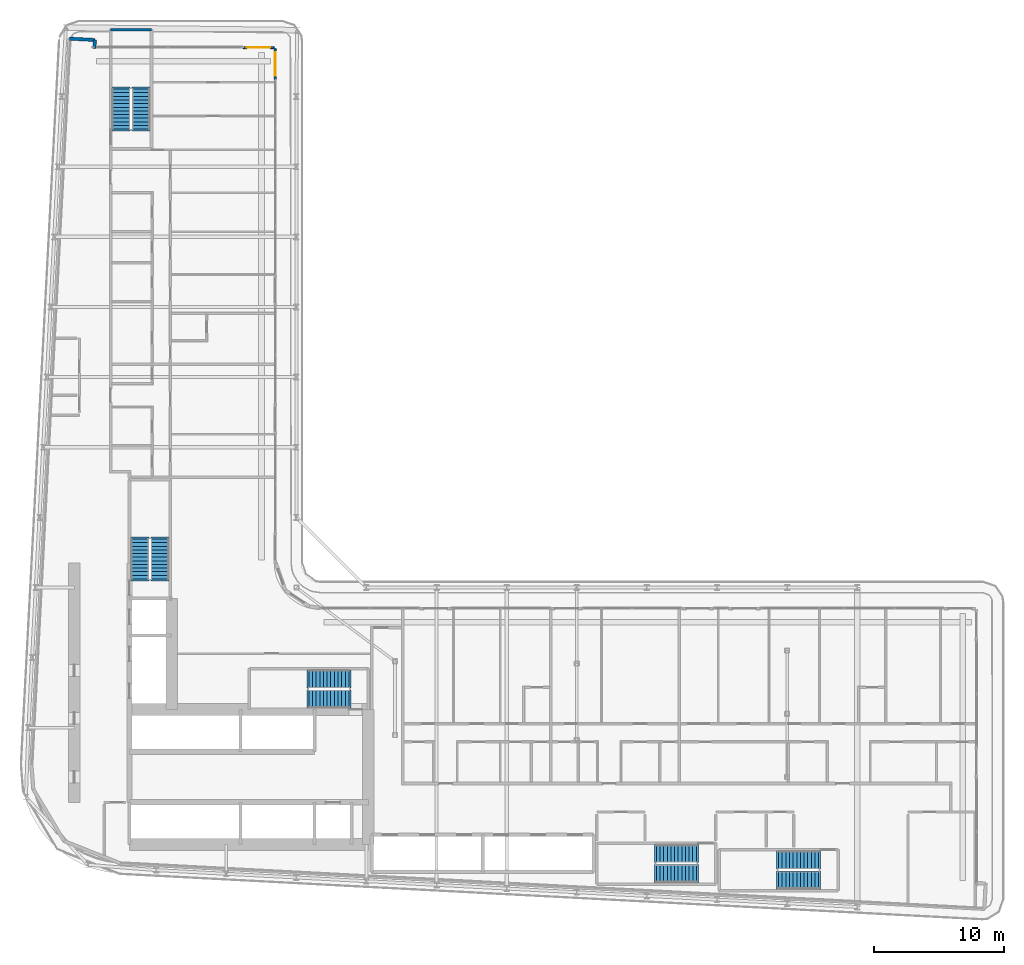
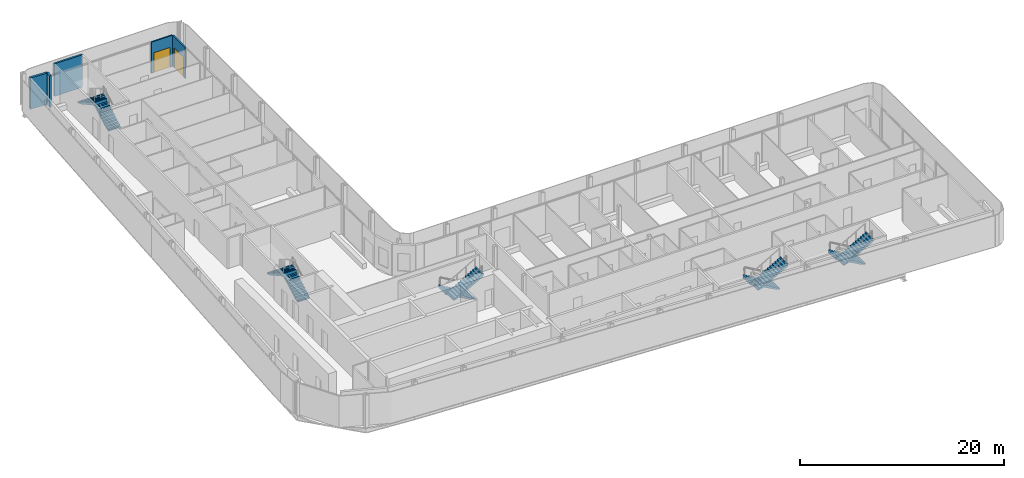
# One storey, part 20 of 27: 10 stair flights, 5 walls, 2 doors, 2 openings, 5 elements without a shape of their own.
"""IFC4 building model written with IfcOpenShell, lengths in metres."""

from ifc_helpers import new_model, si_unit, direction, frame, frame_2d, origin, place, context, subcontext, project, spatial, polyline, rectangle, outline, extrude, source, transform, mapped, material, layer, layer_set, type_object, element, fill, aggregate, save


model = new_model("IFC4")

# Units and contexts
model_context = context("Model", 3, precision=1e-05, world=origin(), true_north=direction((0.0, 1.0)))
body_context = subcontext(model_context, "Body", "Model", "MODEL_VIEW")
ifc_project = project(units=[si_unit("LENGTHUNIT", "METRE"), si_unit("AREAUNIT", "SQUARE_METRE"), si_unit("VOLUMEUNIT", "CUBIC_METRE"), si_unit("PLANEANGLEUNIT", "RADIAN"), si_unit("MASSUNIT", "GRAM", prefix="KILO")], contexts=[model_context])

# Site, building, storey
site_placement = place(None, origin())
site = spatial("IfcSite", under=ifc_project, at=site_placement, CompositionType="ELEMENT")
building_placement = place(site_placement, origin())
building = spatial("IfcBuilding", under=site, at=building_placement, Name="Kheshtan School and Residences Tower", CompositionType="ELEMENT")
storey_placement = place(building_placement, frame((0.0, 0.0, 98.0)))
storey = spatial("IfcBuildingStorey", under=building, at=storey_placement, Name="L22", CompositionType="ELEMENT", Elevation=98.0)

# Walls
ifc_material_1 = material(Name="Concrete C40/50 with ceramic cladding and mineral wool insulation", Category="concrete")
ifc_layer_1 = layer(ifc_material_1, 0.25)
ifc_layer_set_1 = layer_set([ifc_layer_1], Name="External wall 250 ceramic clad")
wall_type_1 = type_object("IfcWallType", Name="External wall 250 ceramic clad", PredefinedType="SOLIDWALL", material=ifc_layer_set_1)
wall_1_placement = place(storey_placement, frame((30.136962890625, 87.864013671875, 0.0), z_axis=(0.0, 0.0, 1.0), x_axis=(0.998577785791, -0.053314216913, 0.0)))
element("IfcWall", 1, at=wall_1_placement, inside=storey, type_object=wall_type_1, Name="External wall L22 1", PredefinedType="SOLIDWALL", context=body_context, shape_type="SweptSolid", body=[
    extrude(rectangle(XDim=1.95068359375, YDim=0.25, at=frame_2d((0.975341796875, 0.0))), origin(), (0.0, 0.0, 1.0), 3.75),
])
wall_2_placement = place(storey_placement, frame((32.0849609375, 87.760009765625, 0.0), z_axis=(0.0, 0.0, 1.0), x_axis=(-0.053729014033, -0.998555553312, 0.0)))
element("IfcWall", 2, at=wall_2_placement, inside=storey, type_object=wall_type_1, Name="External wall L22 2", PredefinedType="SOLIDWALL", context=body_context, shape_type="SweptSolid", body=[
    extrude(rectangle(XDim=0.66796875, YDim=0.25, at=frame_2d((0.333984375, 0.0))), origin(), (0.0, 0.0, 1.0), 3.75),
])

# Wall, opening, door
ifc_material_2 = material(Name="Aluminium frame wall with insulated infill", Category="aluminium")
ifc_layer_2 = layer(ifc_material_2, 0.14990234375)
ifc_layer_set_2 = layer_set([ifc_layer_2], Name="Glazing frame wall 150")
wall_type_2 = type_object("IfcWallType", Name="Glazing frame wall 150", PredefinedType="SOLIDWALL", material=ifc_layer_set_2)
wall_3_placement = place(storey_placement, frame((43.5, 87.175048828125, 0.0), z_axis=(0.0, 0.0, 1.0), x_axis=(1.0, 0.0, 0.0)))
wall_3 = element("IfcWall", 3, at=wall_3_placement, inside=storey, type_object=wall_type_2, Name="Balcony door wall L22 3.1", PredefinedType="SOLIDWALL", context=body_context, shape_type="SweptSolid", body=[
    extrude(rectangle(XDim=2.39990234375, YDim=0.14990234375, at=frame_2d((1.199951171875, 0.0))), origin(), (0.0, 0.0, 1.0), 3.75),
])
opening_1_placement = place(wall_3_placement, frame((0.300048828125, 0.0, 0.0)))
opening_1 = element("IfcOpeningElement", 4, at=opening_1_placement, cuts=wall_3, Name="Opening BD", PredefinedType="OPENING", context=body_context, shape_type="SweptSolid", body=[
    extrude(rectangle(XDim=1.800048828125, YDim=2.39990234375, at=frame_2d((0.89990234375, 1.199951171875))), frame((0.0, 0.0849609375, 0.0), z_axis=(0.0, -1.0, 0.0), x_axis=(1.0, 0.0, 0.0)), (0.0, 0.0, 1.0), 0.169921875),
])
ifc_material_3 = material(Name="Clear low-e glass in thermally broken aluminium frame", Category="aluminium")
door_type = type_object("IfcDoorType", Name="Balcony sliding door", OperationType="SLIDING_TO_LEFT", PredefinedType="DOOR", material=ifc_material_3)
shared_shape = source(origin(), body_context, "Body", "SweptSolid", [
    extrude(rectangle(XDim=1.800048828125, YDim=2.39990234375, at=frame_2d((0.89990234375, 1.199951171875))), frame((0.0, 0.02490234375, 0.0), z_axis=(0.0, -1.0, 0.0), x_axis=(1.0, 0.0, 0.0)), (0.0, 0.0, 1.0), 0.050048828125),
])
door_1_placement = place(opening_1_placement, origin())
door_1 = element("IfcDoor", 5, at=door_1_placement, inside=storey, type_object=door_type, Name="Balcony door L22 3.1", OperationType="SLIDING_TO_LEFT", OverallHeight=2.39990234375, OverallWidth=1.800048828125, PredefinedType="DOOR", context=body_context, shape_type="MappedRepresentation", body=[
    mapped(shared_shape, transform((0.0, 0.0, 0.0), x_axis=(1.0, 0.0, 0.0), y_axis=(0.0, 1.0, 0.0), z_axis=(0.0, 0.0, 1.0), scale=1.0)),
])
fill(opening_1, door_1)

wall_4_placement = place(storey_placement, frame((45.97509765625, 87.10009765625, 0.0), z_axis=(0.0, 0.0, 1.0), x_axis=(0.0, -1.0, 0.0)))
wall_4 = element("IfcWall", 6, at=wall_4_placement, inside=storey, type_object=wall_type_2, Name="Balcony door wall L22 4.1", PredefinedType="SOLIDWALL", context=body_context, shape_type="SweptSolid", body=[
    extrude(rectangle(XDim=2.400146484375, YDim=0.14990234375, at=frame_2d((1.2001953125, 0.0))), origin(), (0.0, 0.0, 1.0), 3.75),
])
opening_2_placement = place(wall_4_placement, frame((0.300048828125, 0.0, 0.0)))
opening_2 = element("IfcOpeningElement", 7, at=opening_2_placement, cuts=wall_4, Name="Opening BD", PredefinedType="OPENING", context=body_context, shape_type="SweptSolid", body=[
    extrude(rectangle(XDim=1.800048828125, YDim=2.39990234375, at=frame_2d((0.89990234375, 1.199951171875))), frame((0.0, 0.0849609375, 0.0), z_axis=(0.0, -1.0, 0.0), x_axis=(1.0, 0.0, 0.0)), (0.0, 0.0, 1.0), 0.169921875),
])
door_2_placement = place(opening_2_placement, origin())
door_2 = element("IfcDoor", 8, at=door_2_placement, inside=storey, type_object=door_type, Name="Balcony door L22 4.1", OperationType="SLIDING_TO_LEFT", OverallHeight=2.39990234375, OverallWidth=1.800048828125, PredefinedType="DOOR", context=body_context, shape_type="MappedRepresentation", body=[
    mapped(shared_shape, transform((0.0, 0.0, 0.0), x_axis=(1.0, 0.0, 0.0), y_axis=(0.0, 1.0, 0.0), z_axis=(0.0, 0.0, 1.0), scale=1.0)),
])
fill(opening_2, door_2)

# Wall
ifc_material_4 = material(Name="Concrete C40/50", Category="concrete")
ifc_layer_3 = layer(ifc_material_4, 0.199951171875)
ifc_layer_set_3 = layer_set([ifc_layer_3], Name="Stair enclosure wall 200 Concrete C40/50")
wall_type_3 = type_object("IfcWallType", Name="Stair enclosure wall 200 Concrete C40/50", PredefinedType="SHEAR", material=ifc_layer_set_3)
wall_5_placement = place(storey_placement, frame((33.300048828125, 88.56005859375, 0.0), z_axis=(0.0, 0.0, 1.0), x_axis=(1.0, 0.0, 0.0)))
element("IfcWall", 9, at=wall_5_placement, inside=storey, type_object=wall_type_3, Name="Stair enclosure wall ST3", PredefinedType="SHEAR", context=body_context, shape_type="SweptSolid", body=[
    extrude(rectangle(XDim=3.14990234375, YDim=0.199951171875, at=frame_2d((1.574951171875, 0.0))), origin(), (0.0, 0.0, 1.0), 3.89990234375),
])

# Stair, stair flights
stair_type = type_object("IfcStairType", Name="Exit stair, half-turn", PredefinedType="HALF_TURN_STAIR", material=ifc_material_4)
stair_1_placement = place(storey_placement, origin())
stair_1 = element("IfcStair", 10, at=stair_1_placement, inside=storey, type_object=stair_type, Name="L22 Protected Exit Stair ST1", PredefinedType="HALF_TURN_STAIR")
ifc_layer_4 = layer(ifc_material_4, 0.14990234375)
ifc_layer_set_4 = layer_set([ifc_layer_4], Name="Stair flight 1400 Concrete C40/50")
stair_flight_type = type_object("IfcStairFlightType", Name="Stair flight 1400 Concrete C40/50", PredefinedType="STRAIGHT", material=ifc_layer_set_4)
stair_flight_1_placement = place(storey_placement, frame((51.64990234375, 38.550048828125, 0.0), z_axis=(0.0, 0.0, 1.0), x_axis=(-1.0, 0.0, 0.0)))
stair_flight_1 = element("IfcStairFlight", 11, at=stair_flight_1_placement, type_object=stair_flight_type, Name="ST1 flight 1", NumberOfRisers=12, NumberOfTreads=11, PredefinedType="STRAIGHT", RiserHeight=0.1625, TreadLength=0.28, context=body_context, shape_type="SweptSolid", body=[
    extrude(outline(polyline([(-0.14990234375, -0.10009765625), (-0.14990234375, 0.0), (0.0, 0.0), (0.0, 0.16259765625), (0.280029296875, 0.16259765625), (0.280029296875, 0.324951171875), (0.56005859375, 0.324951171875), (0.56005859375, 0.487548828125), (0.840087890625, 0.487548828125), (0.840087890625, 0.64990234375), (1.1201171875, 0.64990234375), (1.1201171875, 0.8125), (1.39990234375, 0.8125), (1.39990234375, 0.97509765625), (1.679931640625, 0.97509765625), (1.679931640625, 1.137451171875), (1.9599609375, 1.137451171875), (1.9599609375, 1.300048828125), (2.239990234375, 1.300048828125), (2.239990234375, 1.46240234375), (2.52001953125, 1.46240234375), (2.52001953125, 1.625), (2.800048828125, 1.625), (2.800048828125, 1.78759765625), (3.080078125, 1.78759765625), (3.080078125, 1.949951171875), (3.080078125, 1.969970703125), (3.22998046875, 1.969970703125), (3.22998046875, 1.6142578125), (0.298583984375, 0.0), (-0.14990234375, -0.10009765625)])), frame((0.0, 0.699951171875, 0.0), z_axis=(0.0, -1.0, 0.0), x_axis=(1.0, 0.0, 0.0)), (0.0, 0.0, 1.0), 1.39990234375),
])
stair_flight_2_placement = place(storey_placement, frame((48.570068359375, 37.0, 1.949951171875), z_axis=(0.0, 0.0, 1.0), x_axis=(1.0, 0.0, 0.0)))
stair_flight_2 = element("IfcStairFlight", 12, at=stair_flight_2_placement, type_object=stair_flight_type, Name="ST1 flight 2", NumberOfRisers=12, NumberOfTreads=11, PredefinedType="STRAIGHT", RiserHeight=0.1625, TreadLength=0.28, context=body_context, shape_type="SweptSolid", body=[
    extrude(outline(polyline([(-0.14990234375, -0.10009765625), (-0.14990234375, 0.0), (0.0, 0.0), (0.0, 0.16259765625), (0.280029296875, 0.16259765625), (0.280029296875, 0.324951171875), (0.56005859375, 0.324951171875), (0.56005859375, 0.487548828125), (0.840087890625, 0.487548828125), (0.840087890625, 0.64990234375), (1.1201171875, 0.64990234375), (1.1201171875, 0.8125), (1.39990234375, 0.8125), (1.39990234375, 0.97509765625), (1.679931640625, 0.97509765625), (1.679931640625, 1.137451171875), (1.9599609375, 1.137451171875), (1.9599609375, 1.300048828125), (2.239990234375, 1.300048828125), (2.239990234375, 1.46240234375), (2.52001953125, 1.46240234375), (2.52001953125, 1.625), (2.800048828125, 1.625), (2.800048828125, 1.78759765625), (3.080078125, 1.78759765625), (3.080078125, 1.949951171875), (3.080078125, 1.969970703125), (3.22998046875, 1.969970703125), (3.22998046875, 1.6142578125), (0.298583984375, 0.0), (-0.14990234375, -0.10009765625)])), frame((0.0, 0.699951171875, 0.0), z_axis=(0.0, -1.0, 0.0), x_axis=(1.0, 0.0, 0.0)), (0.0, 0.0, 1.0), 1.39990234375),
])
aggregate(stair_1, [stair_flight_1, stair_flight_2])

stair_2_placement = place(storey_placement, origin())
stair_2 = element("IfcStair", 13, at=stair_2_placement, inside=storey, type_object=stair_type, Name="L22 Protected Exit Stair ST2", PredefinedType="HALF_TURN_STAIR")
stair_flight_3_placement = place(storey_placement, frame((37.10009765625, 46.25, 0.0), z_axis=(0.0, 0.0, 1.0), x_axis=(0.0, 1.0, 0.0)))
stair_flight_3 = element("IfcStairFlight", 14, at=stair_flight_3_placement, type_object=stair_flight_type, Name="ST2 flight 1", NumberOfRisers=12, NumberOfTreads=11, PredefinedType="STRAIGHT", RiserHeight=0.1625, TreadLength=0.28, context=body_context, shape_type="SweptSolid", body=[
    extrude(outline(polyline([(-0.14990234375, -0.10009765625), (-0.14990234375, 0.0), (0.0, 0.0), (0.0, 0.16259765625), (0.280029296875, 0.16259765625), (0.280029296875, 0.324951171875), (0.56005859375, 0.324951171875), (0.56005859375, 0.487548828125), (0.840087890625, 0.487548828125), (0.840087890625, 0.64990234375), (1.1201171875, 0.64990234375), (1.1201171875, 0.8125), (1.39990234375, 0.8125), (1.39990234375, 0.97509765625), (1.679931640625, 0.97509765625), (1.679931640625, 1.137451171875), (1.9599609375, 1.137451171875), (1.9599609375, 1.300048828125), (2.239990234375, 1.300048828125), (2.239990234375, 1.46240234375), (2.52001953125, 1.46240234375), (2.52001953125, 1.625), (2.800048828125, 1.625), (2.800048828125, 1.78759765625), (3.080078125, 1.78759765625), (3.080078125, 1.949951171875), (3.080078125, 1.969970703125), (3.22998046875, 1.969970703125), (3.22998046875, 1.6142578125), (0.298583984375, 0.0), (-0.14990234375, -0.10009765625)])), frame((0.0, 0.699951171875, 0.0), z_axis=(0.0, -1.0, 0.0), x_axis=(1.0, 0.0, 0.0)), (0.0, 0.0, 1.0), 1.39990234375),
])
stair_flight_4_placement = place(storey_placement, frame((35.550048828125, 49.330078125, 1.949951171875), z_axis=(0.0, 0.0, 1.0), x_axis=(0.0, -1.0, 0.0)))
stair_flight_4 = element("IfcStairFlight", 15, at=stair_flight_4_placement, type_object=stair_flight_type, Name="ST2 flight 2", NumberOfRisers=12, NumberOfTreads=11, PredefinedType="STRAIGHT", RiserHeight=0.1625, TreadLength=0.28, context=body_context, shape_type="SweptSolid", body=[
    extrude(outline(polyline([(-0.14990234375, -0.10009765625), (-0.14990234375, 0.0), (0.0, 0.0), (0.0, 0.16259765625), (0.280029296875, 0.16259765625), (0.280029296875, 0.324951171875), (0.56005859375, 0.324951171875), (0.56005859375, 0.487548828125), (0.840087890625, 0.487548828125), (0.840087890625, 0.64990234375), (1.1201171875, 0.64990234375), (1.1201171875, 0.8125), (1.39990234375, 0.8125), (1.39990234375, 0.97509765625), (1.679931640625, 0.97509765625), (1.679931640625, 1.137451171875), (1.9599609375, 1.137451171875), (1.9599609375, 1.300048828125), (2.239990234375, 1.300048828125), (2.239990234375, 1.46240234375), (2.52001953125, 1.46240234375), (2.52001953125, 1.625), (2.800048828125, 1.625), (2.800048828125, 1.78759765625), (3.080078125, 1.78759765625), (3.080078125, 1.949951171875), (3.080078125, 1.969970703125), (3.22998046875, 1.969970703125), (3.22998046875, 1.6142578125), (0.298583984375, 0.0), (-0.14990234375, -0.10009765625)])), frame((0.0, 0.699951171875, 0.0), z_axis=(0.0, -1.0, 0.0), x_axis=(1.0, 0.0, 0.0)), (0.0, 0.0, 1.0), 1.39990234375),
])
aggregate(stair_2, [stair_flight_3, stair_flight_4])

stair_3_placement = place(storey_placement, origin())
stair_3 = element("IfcStair", 16, at=stair_3_placement, inside=storey, type_object=stair_type, Name="L22 Protected Exit Stair ST3", PredefinedType="HALF_TURN_STAIR")
stair_flight_5_placement = place(storey_placement, frame((35.64990234375, 80.89990234375, 0.0), z_axis=(0.0, 0.0, 1.0), x_axis=(0.0, 1.0, 0.0)))
stair_flight_5 = element("IfcStairFlight", 17, at=stair_flight_5_placement, type_object=stair_flight_type, Name="ST3 flight 1", NumberOfRisers=12, NumberOfTreads=11, PredefinedType="STRAIGHT", RiserHeight=0.1625, TreadLength=0.28, context=body_context, shape_type="SweptSolid", body=[
    extrude(outline(polyline([(-0.14990234375, -0.10009765625), (-0.14990234375, 0.0), (0.0, 0.0), (0.0, 0.16259765625), (0.280029296875, 0.16259765625), (0.280029296875, 0.324951171875), (0.56005859375, 0.324951171875), (0.56005859375, 0.487548828125), (0.840087890625, 0.487548828125), (0.840087890625, 0.64990234375), (1.1201171875, 0.64990234375), (1.1201171875, 0.8125), (1.39990234375, 0.8125), (1.39990234375, 0.97509765625), (1.679931640625, 0.97509765625), (1.679931640625, 1.137451171875), (1.9599609375, 1.137451171875), (1.9599609375, 1.300048828125), (2.239990234375, 1.300048828125), (2.239990234375, 1.46240234375), (2.52001953125, 1.46240234375), (2.52001953125, 1.625), (2.800048828125, 1.625), (2.800048828125, 1.78759765625), (3.080078125, 1.78759765625), (3.080078125, 1.949951171875), (3.080078125, 1.969970703125), (3.22998046875, 1.969970703125), (3.22998046875, 1.6142578125), (0.298583984375, 0.0), (-0.14990234375, -0.10009765625)])), frame((0.0, 0.699951171875, 0.0), z_axis=(0.0, -1.0, 0.0), x_axis=(1.0, 0.0, 0.0)), (0.0, 0.0, 1.0), 1.39990234375),
])
stair_flight_6_placement = place(storey_placement, frame((34.10009765625, 83.97998046875, 1.949951171875), z_axis=(0.0, 0.0, 1.0), x_axis=(0.0, -1.0, 0.0)))
stair_flight_6 = element("IfcStairFlight", 18, at=stair_flight_6_placement, type_object=stair_flight_type, Name="ST3 flight 2", NumberOfRisers=12, NumberOfTreads=11, PredefinedType="STRAIGHT", RiserHeight=0.1625, TreadLength=0.28, context=body_context, shape_type="SweptSolid", body=[
    extrude(outline(polyline([(-0.14990234375, -0.10009765625), (-0.14990234375, 0.0), (0.0, 0.0), (0.0, 0.16259765625), (0.280029296875, 0.16259765625), (0.280029296875, 0.324951171875), (0.56005859375, 0.324951171875), (0.56005859375, 0.487548828125), (0.840087890625, 0.487548828125), (0.840087890625, 0.64990234375), (1.1201171875, 0.64990234375), (1.1201171875, 0.8125), (1.39990234375, 0.8125), (1.39990234375, 0.97509765625), (1.679931640625, 0.97509765625), (1.679931640625, 1.137451171875), (1.9599609375, 1.137451171875), (1.9599609375, 1.300048828125), (2.239990234375, 1.300048828125), (2.239990234375, 1.46240234375), (2.52001953125, 1.46240234375), (2.52001953125, 1.625), (2.800048828125, 1.625), (2.800048828125, 1.78759765625), (3.080078125, 1.78759765625), (3.080078125, 1.949951171875), (3.080078125, 1.969970703125), (3.22998046875, 1.969970703125), (3.22998046875, 1.6142578125), (0.298583984375, 0.0), (-0.14990234375, -0.10009765625)])), frame((0.0, 0.699951171875, 0.0), z_axis=(0.0, -1.0, 0.0), x_axis=(1.0, 0.0, 0.0)), (0.0, 0.0, 1.0), 1.39990234375),
])
aggregate(stair_3, [stair_flight_5, stair_flight_6])

stair_4_placement = place(storey_placement, origin())
stair_4 = element("IfcStair", 19, at=stair_4_placement, inside=storey, type_object=stair_type, Name="L22 Protected Exit Stair ST4", PredefinedType="HALF_TURN_STAIR")
stair_flight_7_placement = place(storey_placement, frame((87.820068359375, 24.60009765625, 0.0), z_axis=(0.0, 0.0, 1.0), x_axis=(-1.0, 0.0, 0.0)))
stair_flight_7 = element("IfcStairFlight", 20, at=stair_flight_7_placement, type_object=stair_flight_type, Name="ST4 flight 1", NumberOfRisers=12, NumberOfTreads=11, PredefinedType="STRAIGHT", RiserHeight=0.1625, TreadLength=0.28, context=body_context, shape_type="SweptSolid", body=[
    extrude(outline(polyline([(-0.14990234375, -0.10009765625), (-0.14990234375, 0.0), (0.0, 0.0), (0.0, 0.16259765625), (0.280029296875, 0.16259765625), (0.280029296875, 0.324951171875), (0.56005859375, 0.324951171875), (0.56005859375, 0.487548828125), (0.840087890625, 0.487548828125), (0.840087890625, 0.64990234375), (1.1201171875, 0.64990234375), (1.1201171875, 0.8125), (1.39990234375, 0.8125), (1.39990234375, 0.97509765625), (1.679931640625, 0.97509765625), (1.679931640625, 1.137451171875), (1.9599609375, 1.137451171875), (1.9599609375, 1.300048828125), (2.239990234375, 1.300048828125), (2.239990234375, 1.46240234375), (2.52001953125, 1.46240234375), (2.52001953125, 1.625), (2.800048828125, 1.625), (2.800048828125, 1.78759765625), (3.080078125, 1.78759765625), (3.080078125, 1.949951171875), (3.080078125, 1.969970703125), (3.22998046875, 1.969970703125), (3.22998046875, 1.6142578125), (0.298583984375, 0.0), (-0.14990234375, -0.10009765625)])), frame((0.0, 0.699951171875, 0.0), z_axis=(0.0, -1.0, 0.0), x_axis=(1.0, 0.0, 0.0)), (0.0, 0.0, 1.0), 1.39990234375),
])
stair_flight_8_placement = place(storey_placement, frame((84.739990234375, 23.050048828125, 1.949951171875), z_axis=(0.0, 0.0, 1.0), x_axis=(1.0, 0.0, 0.0)))
stair_flight_8 = element("IfcStairFlight", 21, at=stair_flight_8_placement, type_object=stair_flight_type, Name="ST4 flight 2", NumberOfRisers=12, NumberOfTreads=11, PredefinedType="STRAIGHT", RiserHeight=0.1625, TreadLength=0.28, context=body_context, shape_type="SweptSolid", body=[
    extrude(outline(polyline([(-0.14990234375, -0.10009765625), (-0.14990234375, 0.0), (0.0, 0.0), (0.0, 0.16259765625), (0.280029296875, 0.16259765625), (0.280029296875, 0.324951171875), (0.56005859375, 0.324951171875), (0.56005859375, 0.487548828125), (0.840087890625, 0.487548828125), (0.840087890625, 0.64990234375), (1.1201171875, 0.64990234375), (1.1201171875, 0.8125), (1.39990234375, 0.8125), (1.39990234375, 0.97509765625), (1.679931640625, 0.97509765625), (1.679931640625, 1.137451171875), (1.9599609375, 1.137451171875), (1.9599609375, 1.300048828125), (2.239990234375, 1.300048828125), (2.239990234375, 1.46240234375), (2.52001953125, 1.46240234375), (2.52001953125, 1.625), (2.800048828125, 1.625), (2.800048828125, 1.78759765625), (3.080078125, 1.78759765625), (3.080078125, 1.949951171875), (3.080078125, 1.969970703125), (3.22998046875, 1.969970703125), (3.22998046875, 1.6142578125), (0.298583984375, 0.0), (-0.14990234375, -0.10009765625)])), frame((0.0, 0.699951171875, 0.0), z_axis=(0.0, -1.0, 0.0), x_axis=(1.0, 0.0, 0.0)), (0.0, 0.0, 1.0), 1.39990234375),
])
aggregate(stair_4, [stair_flight_7, stair_flight_8])

stair_5_placement = place(storey_placement, origin())
stair_5 = element("IfcStair", 22, at=stair_5_placement, inside=storey, type_object=stair_type, Name="L22 Protected Exit Stair ST5", PredefinedType="HALF_TURN_STAIR")
stair_flight_9_placement = place(storey_placement, frame((78.409912109375, 25.10009765625, 0.0), z_axis=(0.0, 0.0, 1.0), x_axis=(-1.0, 0.0, 0.0)))
stair_flight_9 = element("IfcStairFlight", 23, at=stair_flight_9_placement, type_object=stair_flight_type, Name="ST5 flight 1", NumberOfRisers=12, NumberOfTreads=11, PredefinedType="STRAIGHT", RiserHeight=0.1625, TreadLength=0.28, context=body_context, shape_type="SweptSolid", body=[
    extrude(outline(polyline([(-0.14990234375, -0.10009765625), (-0.14990234375, 0.0), (0.0, 0.0), (0.0, 0.16259765625), (0.280029296875, 0.16259765625), (0.280029296875, 0.324951171875), (0.56005859375, 0.324951171875), (0.56005859375, 0.487548828125), (0.840087890625, 0.487548828125), (0.840087890625, 0.64990234375), (1.1201171875, 0.64990234375), (1.1201171875, 0.8125), (1.39990234375, 0.8125), (1.39990234375, 0.97509765625), (1.679931640625, 0.97509765625), (1.679931640625, 1.137451171875), (1.9599609375, 1.137451171875), (1.9599609375, 1.300048828125), (2.239990234375, 1.300048828125), (2.239990234375, 1.46240234375), (2.52001953125, 1.46240234375), (2.52001953125, 1.625), (2.800048828125, 1.625), (2.800048828125, 1.78759765625), (3.080078125, 1.78759765625), (3.080078125, 1.949951171875), (3.080078125, 1.969970703125), (3.22998046875, 1.969970703125), (3.22998046875, 1.6142578125), (0.298583984375, 0.0), (-0.14990234375, -0.10009765625)])), frame((0.0, 0.699951171875, 0.0), z_axis=(0.0, -1.0, 0.0), x_axis=(1.0, 0.0, 0.0)), (0.0, 0.0, 1.0), 1.39990234375),
])
stair_flight_10_placement = place(storey_placement, frame((75.330078125, 23.550048828125, 1.949951171875), z_axis=(0.0, 0.0, 1.0), x_axis=(1.0, 0.0, 0.0)))
stair_flight_10 = element("IfcStairFlight", 24, at=stair_flight_10_placement, type_object=stair_flight_type, Name="ST5 flight 2", NumberOfRisers=12, NumberOfTreads=11, PredefinedType="STRAIGHT", RiserHeight=0.1625, TreadLength=0.28, context=body_context, shape_type="SweptSolid", body=[
    extrude(outline(polyline([(-0.14990234375, -0.10009765625), (-0.14990234375, 0.0), (0.0, 0.0), (0.0, 0.16259765625), (0.280029296875, 0.16259765625), (0.280029296875, 0.324951171875), (0.56005859375, 0.324951171875), (0.56005859375, 0.487548828125), (0.840087890625, 0.487548828125), (0.840087890625, 0.64990234375), (1.1201171875, 0.64990234375), (1.1201171875, 0.8125), (1.39990234375, 0.8125), (1.39990234375, 0.97509765625), (1.679931640625, 0.97509765625), (1.679931640625, 1.137451171875), (1.9599609375, 1.137451171875), (1.9599609375, 1.300048828125), (2.239990234375, 1.300048828125), (2.239990234375, 1.46240234375), (2.52001953125, 1.46240234375), (2.52001953125, 1.625), (2.800048828125, 1.625), (2.800048828125, 1.78759765625), (3.080078125, 1.78759765625), (3.080078125, 1.949951171875), (3.080078125, 1.969970703125), (3.22998046875, 1.969970703125), (3.22998046875, 1.6142578125), (0.298583984375, 0.0), (-0.14990234375, -0.10009765625)])), frame((0.0, 0.699951171875, 0.0), z_axis=(0.0, -1.0, 0.0), x_axis=(1.0, 0.0, 0.0)), (0.0, 0.0, 1.0), 1.39990234375),
])
aggregate(stair_5, [stair_flight_9, stair_flight_10])

save(model, "model.ifc")
